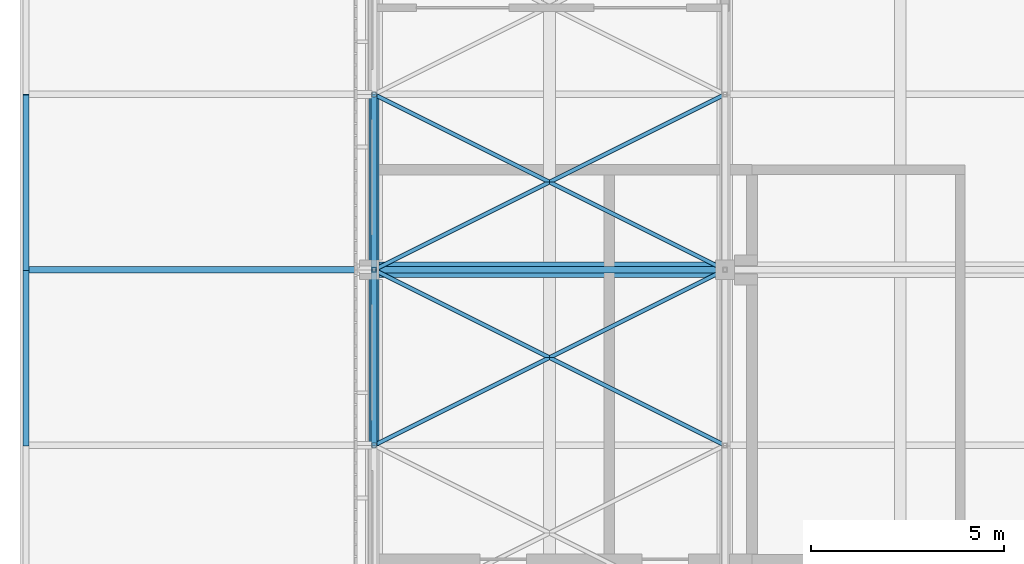
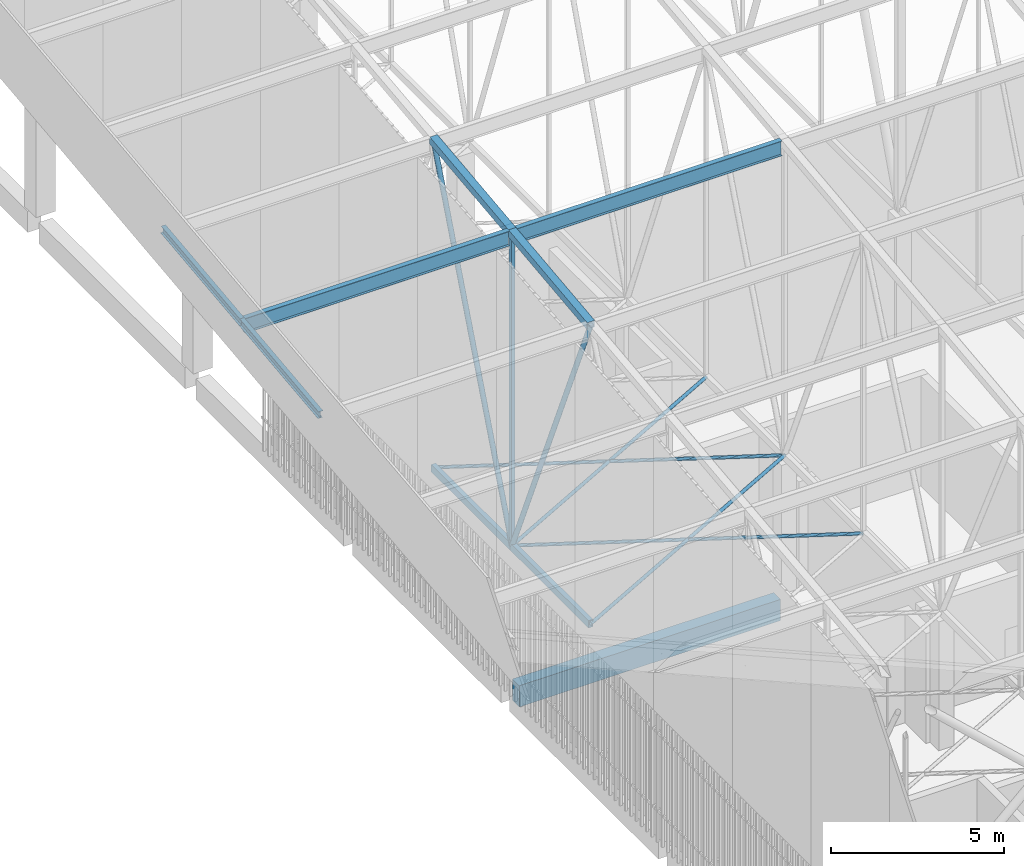
# One storey, part 49 of 500: 15 members, 1 beam.
"""IFC4 building model written with IfcOpenShell, lengths in metres."""

from ifc_helpers import new_model, si_unit, direction, frame, origin, origin_2d, place, context, subcontext, project, spatial, rectangle, hollow_rectangle, hollow_circle, i_section, extrude, material, material_profile, profile_set, type_object, element, save


model = new_model("IFC4")

# Units and contexts
model_context = context("Model", 3, precision=1e-05, world=origin(), true_north=direction((0.0, 1.0)))
body_context = subcontext(model_context, "Body", "Model", "MODEL_VIEW")
ifc_project = project(units=[si_unit("LENGTHUNIT", "METRE"), si_unit("AREAUNIT", "SQUARE_METRE"), si_unit("VOLUMEUNIT", "CUBIC_METRE"), si_unit("PLANEANGLEUNIT", "RADIAN"), si_unit("MASSUNIT", "GRAM", prefix="KILO")], contexts=[model_context])

# Site, building, storey
site_placement = place(None, origin())
site = spatial("IfcSite", under=ifc_project, at=site_placement, CompositionType="ELEMENT")
building_placement = place(site_placement, origin())
building = spatial("IfcBuilding", under=site, at=building_placement, Name="Shirokan Park Arena", CompositionType="ELEMENT")
storey_placement = place(building_placement, frame((0.0, 0.0, 29.1201171875)))
storey = spatial("IfcBuildingStorey", under=building, at=storey_placement, Name="L06", CompositionType="ELEMENT", Elevation=29.1201171875)

# Members
ifc_material_1 = material(Name="Steel ASTM A500 Grade C", Category="steel")
ifc_material_profile_1 = material_profile(ifc_material_1, hollow_rectangle(XDim=0.152099609375, YDim=0.25390625, WallThickness=0.009521484375, at=origin_2d()), Name="HSS254X152.4X9.5")
ifc_profile_set_1 = profile_set([ifc_material_profile_1], Name="Steel ASTM A500 Grade C")
member_type_1 = type_object("IfcMemberType", Name="Bottom chord HSS254X152.4X9.5", PredefinedType="CHORD", material=ifc_profile_set_1)
for number, where, z_axis, x_axis, name in (
    (1, (0.0, 22.75, 4.677001953125), (0.0, 1.0, 0.0), (-1.0, 0.0, 0.0), "Truss T01 bottom chord 8"),
    (2, (0.0, 27.300048828125, 4.677001953125), (0.0, 1.0, 0.0), (-1.0, 0.0, 0.0), "Truss T01 bottom chord 9"),
):
    element("IfcMember", number, at=place(storey_placement, frame(where, z_axis=z_axis, x_axis=x_axis)), inside=storey, type_object=member_type_1, Name=name, PredefinedType="CHORD", context=body_context, shape_type="SweptSolid", body=[
        extrude(hollow_rectangle(XDim=0.152099609375, YDim=0.25390625, WallThickness=0.009521484375, at=origin_2d()), origin(), (0.0, 0.0, 1.0), 4.550048828125),
    ])
ifc_material_profile_2 = material_profile(ifc_material_1, hollow_circle(Radius=0.056884765625, WallThickness=0.006103515625, at=origin_2d()), Name="HSS114.3X6")
ifc_profile_set_2 = profile_set([ifc_material_profile_2], Name="Steel ASTM A500 Grade C")
member_type_2 = type_object("IfcMemberType", Name="Plan bracing HSS114.3X6", PredefinedType="BRACE", material=ifc_profile_set_2)
for number, where, z_axis, x_axis, name in (
    (3, (0.0, 22.75, 4.677001953125), (0.894427191, 0.4472135955, 0.0), (-0.4472135955, 0.894427191, 0.0), "Plan bracing bay 1 panel 8 A"),
    (4, (9.10009765625, 22.75, 4.677001953125), (-0.894427191, 0.4472135955, 0.0), (-0.4472135955, -0.894427191, 0.0), "Plan bracing bay 1 panel 8 B"),
    (5, (0.0, 27.300048828125, 4.677001953125), (0.894427191, 0.4472135955, 0.0), (-0.4472135955, 0.894427191, 0.0), "Plan bracing bay 1 panel 9 A"),
    (6, (9.10009765625, 27.300048828125, 4.677001953125), (-0.894427191, 0.4472135955, 0.0), (-0.4472135955, -0.894427191, 0.0), "Plan bracing bay 1 panel 9 B"),
):
    element("IfcMember", number, at=place(storey_placement, frame(where, z_axis=z_axis, x_axis=x_axis)), inside=storey, type_object=member_type_2, Name=name, PredefinedType="BRACE", context=body_context, shape_type="SweptSolid", body=[
        extrude(hollow_circle(Radius=0.056884765625, WallThickness=0.006103515625, at=origin_2d()), origin(), (0.0, 0.0, 1.0), 10.17431640625),
    ])
ifc_material_2 = material(Name="Steel ASTM A992", Category="steel")
ifc_material_profile_3 = material_profile(ifc_material_2, i_section(OverallWidth=0.166015625, OverallDepth=0.528076171875, WebThickness=0.009765625, FlangeThickness=0.013671875, at=origin_2d()), Name="W530X74")
ifc_profile_set_3 = profile_set([ifc_material_profile_3], Name="Steel ASTM A992")
member_type_3 = type_object("IfcMemberType", Name="Purlin W530X74", PredefinedType="PURLIN", material=ifc_profile_set_3)
member_1_placement = place(storey_placement, frame((0.126953125, 27.300048828125, 15.60595703125), z_axis=(1.0, 0.0, 0.0), x_axis=(0.0, 1.0, 0.0)))
element("IfcMember", 7, at=member_1_placement, inside=storey, type_object=member_type_3, Name="Purlin 9 bay 1", PredefinedType="PURLIN", context=body_context, shape_type="SweptSolid", body=[
    extrude(i_section(OverallWidth=0.166015625, OverallDepth=0.528076171875, WebThickness=0.009765625, FlangeThickness=0.013671875, at=origin_2d()), origin(), (0.0, 0.0, 1.0), 8.845947265625),
])
member_2_placement = place(storey_placement, frame((-8.951904296875, 27.300048828125, 15.60595703125), z_axis=(1.0, 0.0, 0.0), x_axis=(0.0, 1.0, 0.0)))
element("IfcMember", 8, at=member_2_placement, inside=storey, type_object=member_type_3, Name="Eave purlin west 9", PredefinedType="PURLIN", context=body_context, shape_type="SweptSolid", body=[
    extrude(i_section(OverallWidth=0.166015625, OverallDepth=0.528076171875, WebThickness=0.009765625, FlangeThickness=0.013671875, at=origin_2d()), origin(), (0.0, 0.0, 1.0), 8.824951171875),
])

# Beam
ifc_material_3 = material(Name="Concrete C35", Category="concrete")
ifc_material_profile_4 = material_profile(ifc_material_3, rectangle(XDim=0.39990234375, YDim=0.75, at=origin_2d()), Name="400x750")
ifc_profile_set_4 = profile_set([ifc_material_profile_4], Name="Concrete C35")
beam_type = type_object("IfcBeamType", Name="RC girder 400x750", PredefinedType="BEAM", material=ifc_profile_set_4)
beam_placement = place(storey_placement, frame((0.125, 27.300048828125, -0.5751953125), z_axis=(1.0, 0.0, 0.0), x_axis=(0.0, 1.0, 0.0)))
element("IfcBeam", 9, at=beam_placement, inside=storey, type_object=beam_type, Name="Girder 1D-2D L06", PredefinedType="BEAM", context=body_context, shape_type="SweptSolid", body=[
    extrude(rectangle(XDim=0.39990234375, YDim=0.75, at=origin_2d()), origin(), (0.0, 0.0, 1.0), 8.724853515625),
])

# Members
ifc_material_profile_5 = material_profile(ifc_material_2, i_section(OverallWidth=0.14794921875, OverallDepth=0.26708984375, WebThickness=0.007568359375, FlangeThickness=0.012939453125, at=origin_2d()), Name="W250X44.8")
ifc_profile_set_5 = profile_set([ifc_material_profile_5], Name="Steel ASTM A992")
member_type_4 = type_object("IfcMemberType", Name="Roof edge beam W250X44.8", PredefinedType="USERDEFINED", material=ifc_profile_set_5)
for number, where, z_axis, x_axis, name in (
    (10, (-9.02587890625, 22.75, 15.21630859375), (0.0, 0.993532328996, 0.113549598152), (-1.0, 0.0, 0.0), "Roof edge beam W 8"),
    (11, (-9.02587890625, 27.300048828125, 15.736328125), (0.0, 0.993532328996, 0.113549598152), (-1.0, 0.0, 0.0), "Roof edge beam W 9"),
):
    element("IfcMember", number, at=place(storey_placement, frame(where, z_axis=z_axis, x_axis=x_axis)), inside=storey, type_object=member_type_4, Name=name, ObjectType="ROOF EDGE BEAM", PredefinedType="USERDEFINED", context=body_context, shape_type="SweptSolid", body=[
        extrude(i_section(OverallWidth=0.14794921875, OverallDepth=0.26708984375, WebThickness=0.007568359375, FlangeThickness=0.012939453125, at=origin_2d()), origin(), (0.0, 0.0, 1.0), 4.57958984375),
    ])
ifc_material_profile_6 = material_profile(ifc_material_1, hollow_rectangle(XDim=0.25390625, YDim=0.25390625, WallThickness=0.009521484375, at=origin_2d()), Name="HSS254X254X9.5")
ifc_profile_set_6 = profile_set([ifc_material_profile_6], Name="Steel ASTM A500 Grade C")
member_type_5 = type_object("IfcMemberType", Name="Top chord HSS254X254X9.5", PredefinedType="CHORD", material=ifc_profile_set_6)
for number, where, z_axis, x_axis, name in (
    (12, (0.0, 22.75, 15.222900390625), (0.0, 0.993532328996, 0.113549598152), (-1.0, 0.0, 0.0), "Truss T01 top chord 8"),
    (13, (0.0, 27.300048828125, 15.742919921875), (0.0, 0.993532328996, 0.113549598152), (-1.0, 0.0, 0.0), "Truss T01 top chord 9"),
):
    element("IfcMember", number, at=place(storey_placement, frame(where, z_axis=z_axis, x_axis=x_axis)), inside=storey, type_object=member_type_5, Name=name, PredefinedType="CHORD", context=body_context, shape_type="SweptSolid", body=[
        extrude(hollow_rectangle(XDim=0.25390625, YDim=0.25390625, WallThickness=0.009521484375, at=origin_2d()), origin(), (0.0, 0.0, 1.0), 4.57958984375),
    ])
ifc_material_profile_7 = material_profile(ifc_material_1, hollow_circle(Radius=0.083984375, WallThickness=0.009521484375, at=origin_2d()), Name="HSS168.3X9.5")
ifc_profile_set_7 = profile_set([ifc_material_profile_7], Name="Steel ASTM A500 Grade C")
member_type_6 = type_object("IfcMemberType", Name="Truss diagonal HSS168.3X9.5", PredefinedType="BRACE", material=ifc_profile_set_7)
member_3_placement = place(storey_placement, frame((0.0, 22.75, 15.222900390625), z_axis=(0.0, 0.396152605513, -0.918184683572), x_axis=(-1.0, 0.0, 0.0)))
element("IfcMember", 14, at=member_3_placement, inside=storey, type_object=member_type_6, Name="Truss T01 diagonal 8", PredefinedType="BRACE", context=body_context, shape_type="SweptSolid", body=[
    extrude(hollow_circle(Radius=0.083984375, WallThickness=0.009521484375, at=origin_2d()), origin(), (0.0, 0.0, 1.0), 11.485595703125),
])
member_4_placement = place(storey_placement, frame((0.0, 27.300048828125, 4.677001953125), z_axis=(0.0, 0.365543139237, 0.930794399079), x_axis=(-1.0, 0.0, 0.0)))
element("IfcMember", 15, at=member_4_placement, inside=storey, type_object=member_type_6, Name="Truss T01 diagonal 9", PredefinedType="BRACE", context=body_context, shape_type="SweptSolid", body=[
    extrude(hollow_circle(Radius=0.083984375, WallThickness=0.009521484375, at=origin_2d()), origin(), (0.0, 0.0, 1.0), 12.447265625),
])
ifc_material_profile_8 = material_profile(ifc_material_1, hollow_rectangle(XDim=0.126953125, YDim=0.126953125, WallThickness=0.0126953125, at=origin_2d()), Name="HSS127X127X12.7")
ifc_profile_set_8 = profile_set([ifc_material_profile_8], Name="Steel ASTM A500 Grade C")
member_type_7 = type_object("IfcMemberType", Name="Truss post HSS127X127X12.7", PredefinedType="POST", material=ifc_profile_set_8)
member_5_placement = place(storey_placement, frame((0.0, 27.300048828125, 4.677001953125), z_axis=(0.0, 0.0, 1.0), x_axis=(1.0, 0.0, 0.0)))
element("IfcMember", 16, at=member_5_placement, inside=storey, type_object=member_type_7, Name="Truss T01 post 9", PredefinedType="POST", context=body_context, shape_type="SweptSolid", body=[
    extrude(hollow_rectangle(XDim=0.126953125, YDim=0.126953125, WallThickness=0.0126953125, at=origin_2d()), origin(), (0.0, 0.0, 1.0), 11.06591796875),
])

save(model, "model.ifc")
